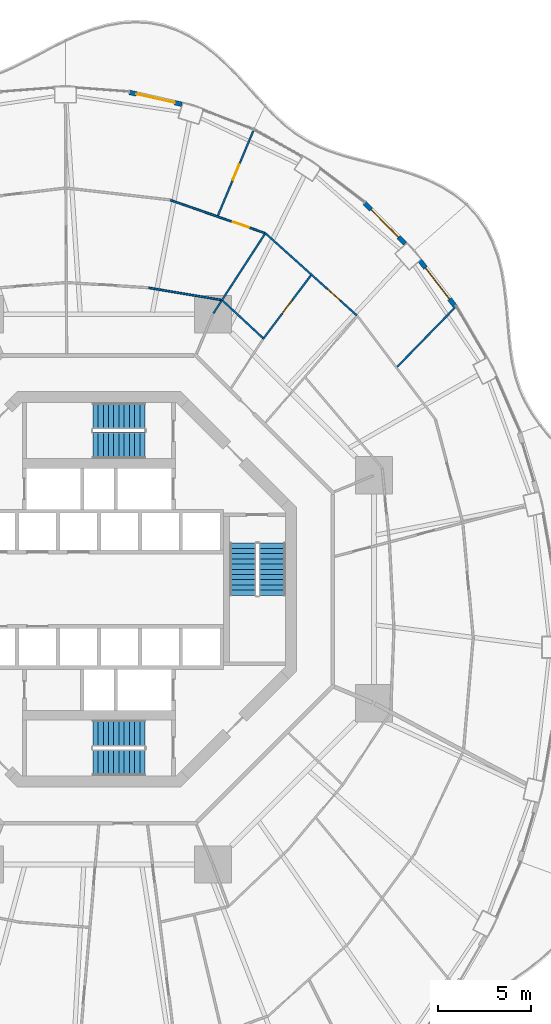
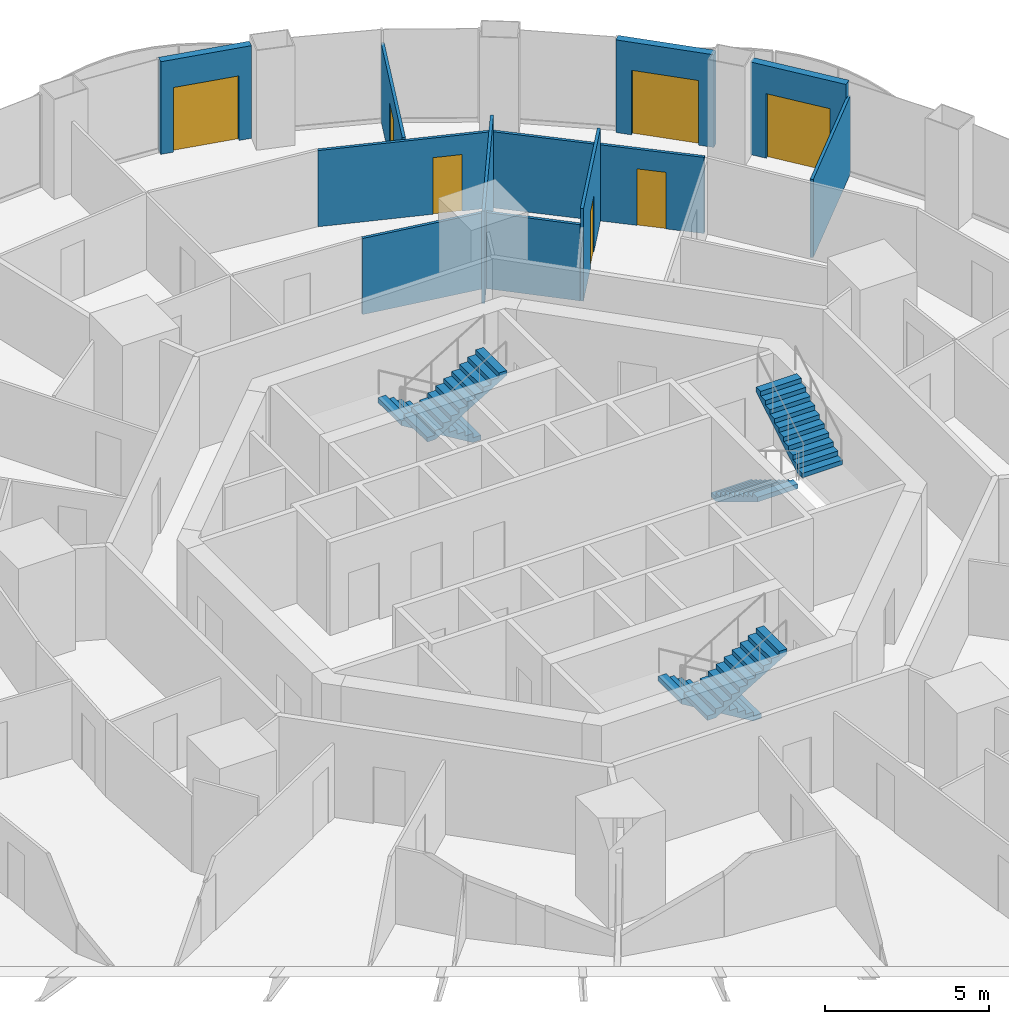
# One storey, part 17 of 20: 11 walls, 7 doors, 6 stair flights, 7 openings, 3 elements without a shape of their own.
"""IFC4 building model written with IfcOpenShell, lengths in metres."""

from ifc_helpers import new_model, si_unit, direction, frame, frame_2d, origin, place, context, subcontext, project, spatial, polyline, rectangle, outline, extrude, material, layer, layer_set, type_object, element, fill, aggregate, save


model = new_model("IFC4")

# Units and contexts
model_context = context("Model", 3, precision=1e-05, world=origin(), true_north=direction((0.0, 1.0)))
body_context = subcontext(model_context, "Body", "Model", "MODEL_VIEW")
ifc_project = project(units=[si_unit("LENGTHUNIT", "METRE"), si_unit("AREAUNIT", "SQUARE_METRE"), si_unit("VOLUMEUNIT", "CUBIC_METRE"), si_unit("PLANEANGLEUNIT", "RADIAN"), si_unit("MASSUNIT", "GRAM", prefix="KILO")], contexts=[model_context])

# Site, building, storey
site_placement = place(None, origin())
site = spatial("IfcSite", under=ifc_project, at=site_placement, CompositionType="ELEMENT")
building_placement = place(site_placement, origin())
building = spatial("IfcBuilding", under=site, at=building_placement, Name="Nagisa Residences", CompositionType="ELEMENT")
storey_placement = place(building_placement, frame((0.0, 0.0, 141.800048828125)))
storey = spatial("IfcBuildingStorey", under=building, at=storey_placement, Name="L35", CompositionType="ELEMENT", Elevation=141.800048828125)

# Wall
ifc_material_1 = material(Name="Gypsum board on steel studs", Category="steel")
ifc_layer_1 = layer(ifc_material_1, 0.10009765625)
ifc_layer_set_1 = layer_set([ifc_layer_1], Name="Apartment partition 100")
wall_type_1 = type_object("IfcWallType", Name="Apartment partition 100", PredefinedType="PARTITIONING", material=ifc_layer_set_1)
wall_1_placement = place(storey_placement, frame((16.01953125, 11.945556640625, 0.0), z_axis=(0.0, 0.0, 1.0), x_axis=(0.697741638446, 0.71634949988, 0.0)))
element("IfcWall", 1, at=wall_1_placement, inside=storey, type_object=wall_type_1, Name="wall:L35:u26", PredefinedType="PARTITIONING", context=body_context, shape_type="SweptSolid", body=[
    extrude(rectangle(XDim=4.592041015625, YDim=0.10009765625, at=frame_2d((2.2958984375, 0.0))), origin(), (0.0, 0.0, 1.0), 2.905029296875),
])

# Wall, opening, door
wall_2_placement = place(storey_placement, frame((13.856201171875, 14.71435546875, 0.0), z_axis=(0.0, 0.0, 1.0), x_axis=(-0.743793479211, 0.668409500444, 0.0)))
wall_2 = element("IfcWall", 2, at=wall_2_placement, inside=storey, type_object=wall_type_1, Name="wall:L35:u28", PredefinedType="PARTITIONING", context=body_context, shape_type="SweptSolid", body=[
    extrude(rectangle(XDim=6.65869140625, YDim=0.10009765625, at=frame_2d((3.329345703125, 0.0))), origin(), (0.0, 0.0, 1.0), 2.827880859375),
])
opening_1_placement = place(wall_2_placement, frame((1.189697265625, 0.0, 0.0)))
opening_1 = element("IfcOpeningElement", 3, at=opening_1_placement, cuts=wall_2, Name="Opening L35-U34", PredefinedType="OPENING", context=body_context, shape_type="SweptSolid", body=[
    extrude(rectangle(XDim=0.89990234375, YDim=2.10009765625, at=frame_2d((0.449951171875, 1.050048828125))), frame((0.0, 0.06005859375, 0.0), z_axis=(0.0, -1.0, 0.0), x_axis=(1.0, 0.0, 0.0)), (0.0, 0.0, 1.0), 0.1201171875),
])
ifc_material_2 = material(Name="Timber door set", Category="wood")
door_type_1 = type_object("IfcDoorType", Name="Apartment door 900x2100", OperationType="NOTDEFINED", PredefinedType="DOOR", material=ifc_material_2)
door_1_placement = place(opening_1_placement, frame((0.89990234375, 0.0, 0.0), x_axis=(-1.0, 0.0, 0.0)))
door_1 = element("IfcDoor", 4, at=door_1_placement, inside=storey, type_object=door_type_1, Name="Door to living room, Apartment 35C", OperationType="SINGLE_SWING_LEFT", OverallHeight=2.10009765625, OverallWidth=0.89990234375, PredefinedType="DOOR", context=body_context, shape_type="SweptSolid", body=[
    extrude(rectangle(XDim=0.89990234375, YDim=2.10009765625, at=frame_2d((0.449951171875, 1.050048828125))), frame((0.0, 0.02490234375, 0.0), z_axis=(0.0, -1.0, 0.0), x_axis=(1.0, 0.0, 0.0)), (0.0, 0.0, 1.0), 0.050048828125),
])
fill(opening_1, door_1)

wall_3_placement = place(storey_placement, frame((8.8095703125, 13.43408203125, 0.0), z_axis=(0.0, 0.0, 1.0), x_axis=(0.600491337497, 0.799631261014, 0.0)))
wall_3 = element("IfcWall", 5, at=wall_3_placement, inside=storey, type_object=wall_type_1, Name="wall:L35:u30", PredefinedType="PARTITIONING", context=body_context, shape_type="SweptSolid", body=[
    extrude(rectangle(XDim=4.292236328125, YDim=0.10009765625, at=frame_2d((2.14599609375, 0.0))), origin(), (0.0, 0.0, 1.0), 3.43994140625),
])
opening_2_placement = place(wall_3_placement, frame((1.72119140625, 0.0, 0.0)))
opening_2 = element("IfcOpeningElement", 6, at=opening_2_placement, cuts=wall_3, Name="Opening L35-U32", PredefinedType="OPENING", context=body_context, shape_type="SweptSolid", body=[
    extrude(rectangle(XDim=0.89990234375, YDim=2.10009765625, at=frame_2d((0.449951171875, 1.050048828125))), frame((0.0, 0.06005859375, 0.0), z_axis=(0.0, -1.0, 0.0), x_axis=(1.0, 0.0, 0.0)), (0.0, 0.0, 1.0), 0.1201171875),
])
door_2_placement = place(opening_2_placement, origin())
door_2 = element("IfcDoor", 7, at=door_2_placement, inside=storey, type_object=door_type_1, Name="Door to family bathroom, Apartment 35C", OperationType="SINGLE_SWING_RIGHT", OverallHeight=2.10009765625, OverallWidth=0.89990234375, PredefinedType="DOOR", context=body_context, shape_type="SweptSolid", body=[
    extrude(rectangle(XDim=0.89990234375, YDim=2.10009765625, at=frame_2d((0.449951171875, 1.050048828125))), frame((0.0, 0.02490234375, 0.0), z_axis=(0.0, -1.0, 0.0), x_axis=(1.0, 0.0, 0.0)), (0.0, 0.0, 1.0), 0.050048828125),
])
fill(opening_2, door_2)

# Walls
wall_4_placement = place(storey_placement, frame((8.802978515625, 13.508056640625, 0.0), z_axis=(0.0, 0.0, 1.0), x_axis=(-0.733130973758, 0.680087476224, 0.0)))
element("IfcWall", 8, at=wall_4_placement, inside=storey, type_object=wall_type_1, Name="wall:L35:u31", PredefinedType="PARTITIONING", context=body_context, shape_type="SweptSolid", body=[
    extrude(rectangle(XDim=2.9365234375, YDim=0.10009765625, at=frame_2d((1.46826171875, 0.0))), origin(), (0.0, 0.0, 1.0), 2.827880859375),
])
wall_5_placement = place(storey_placement, frame((6.150146484375, 14.823974609375, 0.0), z_axis=(0.0, 0.0, 1.0), x_axis=(0.543711280797, 0.839272329542, 0.0)))
element("IfcWall", 9, at=wall_5_placement, inside=storey, type_object=wall_type_1, Name="wall:L35:u33", PredefinedType="PARTITIONING", context=body_context, shape_type="SweptSolid", body=[
    extrude(rectangle(XDim=5.08251953125, YDim=0.10009765625, at=frame_2d((2.541259765625, 0.0))), origin(), (0.0, 0.0, 1.0), 3.43994140625),
])
wall_6_placement = place(storey_placement, frame((6.56396484375, 15.54736328125, 0.0), z_axis=(0.0, 0.0, 1.0), x_axis=(-0.986269521186, 0.165143669511, 0.0)))
element("IfcWall", 10, at=wall_6_placement, inside=storey, type_object=wall_type_1, Name="wall:L35:u34", PredefinedType="PARTITIONING", context=body_context, shape_type="SweptSolid", body=[
    extrude(rectangle(XDim=3.933837890625, YDim=0.10009765625, at=frame_2d((1.966796875, 0.0))), origin(), (0.0, 0.0, 1.0), 2.827880859375),
])

# Wall, opening, door
wall_7_placement = place(storey_placement, frame((8.8935546875, 19.14794921875, 0.0), z_axis=(0.0, 0.0, 1.0), x_axis=(-0.944182005381, 0.329424256414, 0.0)))
wall_7 = element("IfcWall", 11, at=wall_7_placement, inside=storey, type_object=wall_type_1, Name="wall:L35:u35", PredefinedType="PARTITIONING", context=body_context, shape_type="SweptSolid", body=[
    extrude(rectangle(XDim=5.343505859375, YDim=0.10009765625, at=frame_2d((2.671875, 0.0))), origin(), (0.0, 0.0, 1.0), 2.827880859375),
])
opening_3_placement = place(wall_7_placement, frame((0.8857421875, 0.0, 0.0)))
opening_3 = element("IfcOpeningElement", 12, at=opening_3_placement, cuts=wall_7, Name="Opening L35-U38", PredefinedType="OPENING", context=body_context, shape_type="SweptSolid", body=[
    extrude(rectangle(XDim=0.89990234375, YDim=2.10009765625, at=frame_2d((0.449951171875, 1.050048828125))), frame((0.0, 0.06005859375, 0.0), z_axis=(0.0, -1.0, 0.0), x_axis=(1.0, 0.0, 0.0)), (0.0, 0.0, 1.0), 0.1201171875),
])
door_3_placement = place(opening_3_placement, origin())
door_3 = element("IfcDoor", 13, at=door_3_placement, inside=storey, type_object=door_type_1, Name="Door to kitchen, Apartment 35C", OperationType="SINGLE_SWING_RIGHT", OverallHeight=2.10009765625, OverallWidth=0.89990234375, PredefinedType="DOOR", context=body_context, shape_type="SweptSolid", body=[
    extrude(rectangle(XDim=0.89990234375, YDim=2.10009765625, at=frame_2d((0.449951171875, 1.050048828125))), frame((0.0, 0.02490234375, 0.0), z_axis=(0.0, -1.0, 0.0), x_axis=(1.0, 0.0, 0.0)), (0.0, 0.0, 1.0), 0.050048828125),
])
fill(opening_3, door_3)

wall_8_placement = place(storey_placement, frame((6.39013671875, 20.07421875, 0.0), z_axis=(0.0, 0.0, 1.0), x_axis=(0.385304133029, 0.922789642915, 0.0)))
wall_8 = element("IfcWall", 14, at=wall_8_placement, inside=storey, type_object=wall_type_1, Name="wall:L35:u36", PredefinedType="PARTITIONING", context=body_context, shape_type="SweptSolid", body=[
    extrude(rectangle(XDim=5.058349609375, YDim=0.10009765625, at=frame_2d((2.529296875, 0.0))), origin(), (0.0, 0.0, 1.0), 2.905029296875),
])
opening_4_placement = place(wall_8_placement, frame((2.0791015625, 0.0, 0.0)))
opening_4 = element("IfcOpeningElement", 15, at=opening_4_placement, cuts=wall_8, Name="Opening L35-U35", PredefinedType="OPENING", context=body_context, shape_type="SweptSolid", body=[
    extrude(rectangle(XDim=0.89990234375, YDim=2.10009765625, at=frame_2d((0.449951171875, 1.050048828125))), frame((0.0, 0.06005859375, 0.0), z_axis=(0.0, -1.0, 0.0), x_axis=(1.0, 0.0, 0.0)), (0.0, 0.0, 1.0), 0.1201171875),
])
door_4_placement = place(opening_4_placement, origin())
door_4 = element("IfcDoor", 16, at=door_4_placement, inside=storey, type_object=door_type_1, Name="Door to master bedroom, Apartment 35C", OperationType="SINGLE_SWING_LEFT", OverallHeight=2.10009765625, OverallWidth=0.89990234375, PredefinedType="DOOR", context=body_context, shape_type="SweptSolid", body=[
    extrude(rectangle(XDim=0.89990234375, YDim=2.10009765625, at=frame_2d((0.449951171875, 1.050048828125))), frame((0.0, 0.02490234375, 0.0), z_axis=(0.0, -1.0, 0.0), x_axis=(1.0, 0.0, 0.0)), (0.0, 0.0, 1.0), 0.050048828125),
])
fill(opening_4, door_4)

ifc_material_3 = material(Name="Precast concrete C40/50", Category="concrete")
ifc_layer_2 = layer(ifc_material_3, 0.25)
ifc_layer_set_2 = layer_set([ifc_layer_2], Name="BALCONY DOOR WALL 250")
wall_type_2 = type_object("IfcWallType", Name="BALCONY DOOR WALL 250", PredefinedType="SOLIDWALL", material=ifc_layer_set_2)
wall_9_placement = place(storey_placement, frame((17.230224609375, 17.681884765625, 0.0), z_axis=(0.0, 0.0, 1.0), x_axis=(0.610429847179, -0.792070326217, 0.0)))
wall_9 = element("IfcWall", 17, at=wall_9_placement, inside=storey, type_object=wall_type_2, Name="wall:L35:bay05", PredefinedType="SOLIDWALL", context=body_context, shape_type="SweptSolid", body=[
    extrude(rectangle(XDim=3.149169921875, YDim=0.25, at=frame_2d((1.57470703125, 0.0))), origin(), (0.0, 0.0, 1.0), 3.43994140625),
])
opening_5_placement = place(wall_9_placement, frame((0.524658203125, 0.0, 0.0)))
opening_5 = element("IfcOpeningElement", 18, at=opening_5_placement, cuts=wall_9, Name="Opening BD-L35-02", PredefinedType="OPENING", context=body_context, shape_type="SweptSolid", body=[
    extrude(rectangle(XDim=2.10009765625, YDim=2.39990234375, at=frame_2d((1.050048828125, 1.199951171875))), frame((0.0, 0.135009765625, 0.0), z_axis=(0.0, -1.0, 0.0), x_axis=(1.0, 0.0, 0.0)), (0.0, 0.0, 1.0), 0.27001953125),
])
ifc_material_4 = material(Name="Aluminium and clear glass", Category="aluminium")
door_type_2 = type_object("IfcDoorType", Name="BALCONY SLIDING DOOR 2100x2400", OperationType="SLIDING_TO_LEFT", PredefinedType="DOOR", material=ifc_material_4)
door_5_placement = place(opening_5_placement, origin())
door_5 = element("IfcDoor", 19, at=door_5_placement, inside=storey, type_object=door_type_2, Name="door:L35:bay05", OperationType="SLIDING_TO_LEFT", OverallHeight=2.39990234375, OverallWidth=2.10009765625, PredefinedType="DOOR", context=body_context, shape_type="SweptSolid", body=[
    extrude(rectangle(XDim=2.10009765625, YDim=2.39990234375, at=frame_2d((1.050048828125, 1.199951171875))), frame((0.0, 0.02490234375, 0.0), z_axis=(0.0, -1.0, 0.0), x_axis=(1.0, 0.0, 0.0)), (0.0, 0.0, 1.0), 0.050048828125),
])
fill(opening_5, door_5)

wall_10_placement = place(storey_placement, frame((14.26513671875, 20.7490234375, 0.0), z_axis=(0.0, 0.0, 1.0), x_axis=(0.70789728551, -0.706315392135, 0.0)))
wall_10 = element("IfcWall", 20, at=wall_10_placement, inside=storey, type_object=wall_type_2, Name="wall:L35:bay06", PredefinedType="SOLIDWALL", context=body_context, shape_type="SweptSolid", body=[
    extrude(rectangle(XDim=3.086669921875, YDim=0.25, at=frame_2d((1.54345703125, 0.0))), origin(), (0.0, 0.0, 1.0), 3.43994140625),
])
opening_6_placement = place(wall_10_placement, frame((0.493408203125, 0.0, 0.0)))
opening_6 = element("IfcOpeningElement", 21, at=opening_6_placement, cuts=wall_10, Name="Opening BD-L35-03", PredefinedType="OPENING", context=body_context, shape_type="SweptSolid", body=[
    extrude(rectangle(XDim=2.10009765625, YDim=2.39990234375, at=frame_2d((1.050048828125, 1.199951171875))), frame((0.0, 0.135009765625, 0.0), z_axis=(0.0, -1.0, 0.0), x_axis=(1.0, 0.0, 0.0)), (0.0, 0.0, 1.0), 0.27001953125),
])
door_6_placement = place(opening_6_placement, origin())
door_6 = element("IfcDoor", 22, at=door_6_placement, inside=storey, type_object=door_type_2, Name="door:L35:bay06", OperationType="SLIDING_TO_LEFT", OverallHeight=2.39990234375, OverallWidth=2.10009765625, PredefinedType="DOOR", context=body_context, shape_type="SweptSolid", body=[
    extrude(rectangle(XDim=2.10009765625, YDim=2.39990234375, at=frame_2d((1.050048828125, 1.199951171875))), frame((0.0, 0.02490234375, 0.0), z_axis=(0.0, -1.0, 0.0), x_axis=(1.0, 0.0, 0.0)), (0.0, 0.0, 1.0), 0.050048828125),
])
fill(opening_6, door_6)

wall_11_placement = place(storey_placement, frame((1.635986328125, 26.697021484375, 0.0), z_axis=(0.0, 0.0, 1.0), x_axis=(0.975339035722, -0.220711951186, 0.0)))
wall_11 = element("IfcWall", 23, at=wall_11_placement, inside=storey, type_object=wall_type_2, Name="wall:L35:bay10", PredefinedType="SOLIDWALL", context=body_context, shape_type="SweptSolid", body=[
    extrude(rectangle(XDim=2.890380859375, YDim=0.25, at=frame_2d((1.4453125, 0.0))), origin(), (0.0, 0.0, 1.0), 3.43994140625),
])
opening_7_placement = place(wall_11_placement, frame((0.395263671875, 0.0, 0.0)))
opening_7 = element("IfcOpeningElement", 24, at=opening_7_placement, cuts=wall_11, Name="Opening BD-L35-04", PredefinedType="OPENING", context=body_context, shape_type="SweptSolid", body=[
    extrude(rectangle(XDim=2.10009765625, YDim=2.39990234375, at=frame_2d((1.050048828125, 1.199951171875))), frame((0.0, 0.135009765625, 0.0), z_axis=(0.0, -1.0, 0.0), x_axis=(1.0, 0.0, 0.0)), (0.0, 0.0, 1.0), 0.27001953125),
])
door_7_placement = place(opening_7_placement, origin())
door_7 = element("IfcDoor", 25, at=door_7_placement, inside=storey, type_object=door_type_2, Name="door:L35:bay10", OperationType="SLIDING_TO_LEFT", OverallHeight=2.39990234375, OverallWidth=2.10009765625, PredefinedType="DOOR", context=body_context, shape_type="SweptSolid", body=[
    extrude(rectangle(XDim=2.10009765625, YDim=2.39990234375, at=frame_2d((1.050048828125, 1.199951171875))), frame((0.0, 0.02490234375, 0.0), z_axis=(0.0, -1.0, 0.0), x_axis=(1.0, 0.0, 0.0)), (0.0, 0.0, 1.0), 0.050048828125),
])
fill(opening_7, door_7)

# Stair, stair flights
ifc_material_5 = material(Name="Concrete C60", Category="concrete")
stair_type = type_object("IfcStairType", Name="Exit stair", PredefinedType="HALF_TURN_STAIR", material=ifc_material_5)
stair_1_placement = place(storey_placement, origin())
stair_1 = element("IfcStair", 26, at=stair_1_placement, inside=storey, type_object=stair_type, Name="L35 Exit stair E", PredefinedType="HALF_TURN_STAIR")
ifc_material_6 = material(Name="Concrete C60", Category="concrete")
stair_flight_type = type_object("IfcStairFlightType", Name="Exit stair flight", PredefinedType="STRAIGHT", material=ifc_material_6)
stair_flight_1_placement = place(storey_placement, frame((7.737060546875, 2.47509765625, 0.0), z_axis=(0.0, 0.0, 1.0), x_axis=(0.0, -1.0, 0.0)))
stair_flight_1 = element("IfcStairFlight", 27, at=stair_flight_1_placement, type_object=stair_flight_type, Name="ST-E flight 1", NumberOfRisers=11, NumberOfTreads=10, PredefinedType="STRAIGHT", RiserHeight=0.168181818, TreadLength=0.28, context=body_context, shape_type="SweptSolid", body=[
    extrude(outline(polyline([(0.0, 0.0), (0.0, 0.168212890625), (0.280029296875, 0.168212890625), (0.280029296875, 0.33642578125), (0.56005859375, 0.33642578125), (0.56005859375, 0.504638671875), (0.840087890625, 0.504638671875), (0.840087890625, 0.672607421875), (1.1201171875, 0.672607421875), (1.1201171875, 0.8408203125), (1.39990234375, 0.8408203125), (1.39990234375, 1.009033203125), (1.679931640625, 1.009033203125), (1.679931640625, 1.17724609375), (1.9599609375, 1.17724609375), (1.9599609375, 1.345458984375), (2.239990234375, 1.345458984375), (2.239990234375, 1.513671875), (2.52001953125, 1.513671875), (2.52001953125, 1.681884765625), (2.800048828125, 1.681884765625), (2.800048828125, 1.85009765625), (2.800048828125, 1.5068359375), (0.291015625, 0.0), (0.0, 0.0)])), frame((0.0, 0.71240234375, 0.0), z_axis=(0.0, -1.0, 0.0), x_axis=(1.0, 0.0, 0.0)), (0.0, 0.0, 1.0), 1.425048828125),
])
stair_flight_2_placement = place(storey_placement, frame((9.31201171875, -0.324951171875, 1.849853515625), z_axis=(0.0, 0.0, 1.0), x_axis=(0.0, 1.0, 0.0)))
stair_flight_2 = element("IfcStairFlight", 28, at=stair_flight_2_placement, type_object=stair_flight_type, Name="ST-E flight 2", NumberOfRisers=11, NumberOfTreads=10, PredefinedType="STRAIGHT", RiserHeight=0.168181818, TreadLength=0.28, context=body_context, shape_type="SweptSolid", body=[
    extrude(outline(polyline([(0.0, 0.0), (0.0, 0.168212890625), (0.280029296875, 0.168212890625), (0.280029296875, 0.33642578125), (0.56005859375, 0.33642578125), (0.56005859375, 0.504638671875), (0.840087890625, 0.504638671875), (0.840087890625, 0.672607421875), (1.1201171875, 0.672607421875), (1.1201171875, 0.8408203125), (1.39990234375, 0.8408203125), (1.39990234375, 1.009033203125), (1.679931640625, 1.009033203125), (1.679931640625, 1.17724609375), (1.9599609375, 1.17724609375), (1.9599609375, 1.345458984375), (2.239990234375, 1.345458984375), (2.239990234375, 1.513671875), (2.52001953125, 1.513671875), (2.52001953125, 1.681884765625), (2.800048828125, 1.681884765625), (2.800048828125, 1.85009765625), (2.800048828125, 1.5068359375), (0.291015625, 0.0), (0.0, 0.0)])), frame((0.0, 0.71240234375, 0.0), z_axis=(0.0, -1.0, 0.0), x_axis=(1.0, 0.0, 0.0)), (0.0, 0.0, 1.0), 1.425048828125),
])
aggregate(stair_1, [stair_flight_1, stair_flight_2])

stair_2_placement = place(storey_placement, origin())
stair_2 = element("IfcStair", 29, at=stair_2_placement, inside=storey, type_object=stair_type, Name="L35 Exit stair N", PredefinedType="HALF_TURN_STAIR")
stair_flight_3_placement = place(storey_placement, frame((2.47509765625, 9.31201171875, 0.0), z_axis=(0.0, 0.0, 1.0), x_axis=(-1.0, 0.0, 0.0)))
stair_flight_3 = element("IfcStairFlight", 30, at=stair_flight_3_placement, type_object=stair_flight_type, Name="ST-N flight 1", NumberOfRisers=11, NumberOfTreads=10, PredefinedType="STRAIGHT", RiserHeight=0.168181818, TreadLength=0.28, context=body_context, shape_type="SweptSolid", body=[
    extrude(outline(polyline([(0.0, 0.0), (0.0, 0.168212890625), (0.280029296875, 0.168212890625), (0.280029296875, 0.33642578125), (0.56005859375, 0.33642578125), (0.56005859375, 0.504638671875), (0.840087890625, 0.504638671875), (0.840087890625, 0.672607421875), (1.1201171875, 0.672607421875), (1.1201171875, 0.8408203125), (1.39990234375, 0.8408203125), (1.39990234375, 1.009033203125), (1.679931640625, 1.009033203125), (1.679931640625, 1.17724609375), (1.9599609375, 1.17724609375), (1.9599609375, 1.345458984375), (2.239990234375, 1.345458984375), (2.239990234375, 1.513671875), (2.52001953125, 1.513671875), (2.52001953125, 1.681884765625), (2.800048828125, 1.681884765625), (2.800048828125, 1.85009765625), (2.800048828125, 1.5068359375), (0.291015625, 0.0), (0.0, 0.0)])), frame((0.0, 0.71240234375, 0.0), z_axis=(0.0, -1.0, 0.0), x_axis=(1.0, 0.0, 0.0)), (0.0, 0.0, 1.0), 1.425048828125),
])
stair_flight_4_placement = place(storey_placement, frame((-0.324951171875, 7.737060546875, 1.849853515625), z_axis=(0.0, 0.0, 1.0), x_axis=(1.0, 0.0, 0.0)))
stair_flight_4 = element("IfcStairFlight", 31, at=stair_flight_4_placement, type_object=stair_flight_type, Name="ST-N flight 2", NumberOfRisers=11, NumberOfTreads=10, PredefinedType="STRAIGHT", RiserHeight=0.168181818, TreadLength=0.28, context=body_context, shape_type="SweptSolid", body=[
    extrude(outline(polyline([(0.0, 0.0), (0.0, 0.168212890625), (0.280029296875, 0.168212890625), (0.280029296875, 0.33642578125), (0.56005859375, 0.33642578125), (0.56005859375, 0.504638671875), (0.840087890625, 0.504638671875), (0.840087890625, 0.672607421875), (1.1201171875, 0.672607421875), (1.1201171875, 0.8408203125), (1.39990234375, 0.8408203125), (1.39990234375, 1.009033203125), (1.679931640625, 1.009033203125), (1.679931640625, 1.17724609375), (1.9599609375, 1.17724609375), (1.9599609375, 1.345458984375), (2.239990234375, 1.345458984375), (2.239990234375, 1.513671875), (2.52001953125, 1.513671875), (2.52001953125, 1.681884765625), (2.800048828125, 1.681884765625), (2.800048828125, 1.85009765625), (2.800048828125, 1.5068359375), (0.291015625, 0.0), (0.0, 0.0)])), frame((0.0, 0.71240234375, 0.0), z_axis=(0.0, -1.0, 0.0), x_axis=(1.0, 0.0, 0.0)), (0.0, 0.0, 1.0), 1.425048828125),
])
aggregate(stair_2, [stair_flight_3, stair_flight_4])

stair_3_placement = place(storey_placement, origin())
stair_3 = element("IfcStair", 32, at=stair_3_placement, inside=storey, type_object=stair_type, Name="L35 Exit stair S", PredefinedType="HALF_TURN_STAIR")
stair_flight_5_placement = place(storey_placement, frame((2.47509765625, -7.737060546875, 0.0), z_axis=(0.0, 0.0, 1.0), x_axis=(-1.0, 0.0, 0.0)))
stair_flight_5 = element("IfcStairFlight", 33, at=stair_flight_5_placement, type_object=stair_flight_type, Name="ST-S flight 1", NumberOfRisers=11, NumberOfTreads=10, PredefinedType="STRAIGHT", RiserHeight=0.168181818, TreadLength=0.28, context=body_context, shape_type="SweptSolid", body=[
    extrude(outline(polyline([(0.0, 0.0), (0.0, 0.168212890625), (0.280029296875, 0.168212890625), (0.280029296875, 0.33642578125), (0.56005859375, 0.33642578125), (0.56005859375, 0.504638671875), (0.840087890625, 0.504638671875), (0.840087890625, 0.672607421875), (1.1201171875, 0.672607421875), (1.1201171875, 0.8408203125), (1.39990234375, 0.8408203125), (1.39990234375, 1.009033203125), (1.679931640625, 1.009033203125), (1.679931640625, 1.17724609375), (1.9599609375, 1.17724609375), (1.9599609375, 1.345458984375), (2.239990234375, 1.345458984375), (2.239990234375, 1.513671875), (2.52001953125, 1.513671875), (2.52001953125, 1.681884765625), (2.800048828125, 1.681884765625), (2.800048828125, 1.85009765625), (2.800048828125, 1.5068359375), (0.291015625, 0.0), (0.0, 0.0)])), frame((0.0, 0.71240234375, 0.0), z_axis=(0.0, -1.0, 0.0), x_axis=(1.0, 0.0, 0.0)), (0.0, 0.0, 1.0), 1.425048828125),
])
stair_flight_6_placement = place(storey_placement, frame((-0.324951171875, -9.31201171875, 1.849853515625), z_axis=(0.0, 0.0, 1.0), x_axis=(1.0, 0.0, 0.0)))
stair_flight_6 = element("IfcStairFlight", 34, at=stair_flight_6_placement, type_object=stair_flight_type, Name="ST-S flight 2", NumberOfRisers=11, NumberOfTreads=10, PredefinedType="STRAIGHT", RiserHeight=0.168181818, TreadLength=0.28, context=body_context, shape_type="SweptSolid", body=[
    extrude(outline(polyline([(0.0, 0.0), (0.0, 0.168212890625), (0.280029296875, 0.168212890625), (0.280029296875, 0.33642578125), (0.56005859375, 0.33642578125), (0.56005859375, 0.504638671875), (0.840087890625, 0.504638671875), (0.840087890625, 0.672607421875), (1.1201171875, 0.672607421875), (1.1201171875, 0.8408203125), (1.39990234375, 0.8408203125), (1.39990234375, 1.009033203125), (1.679931640625, 1.009033203125), (1.679931640625, 1.17724609375), (1.9599609375, 1.17724609375), (1.9599609375, 1.345458984375), (2.239990234375, 1.345458984375), (2.239990234375, 1.513671875), (2.52001953125, 1.513671875), (2.52001953125, 1.681884765625), (2.800048828125, 1.681884765625), (2.800048828125, 1.85009765625), (2.800048828125, 1.5068359375), (0.291015625, 0.0), (0.0, 0.0)])), frame((0.0, 0.71240234375, 0.0), z_axis=(0.0, -1.0, 0.0), x_axis=(1.0, 0.0, 0.0)), (0.0, 0.0, 1.0), 1.425048828125),
])
aggregate(stair_3, [stair_flight_5, stair_flight_6])

save(model, "model.ifc")
